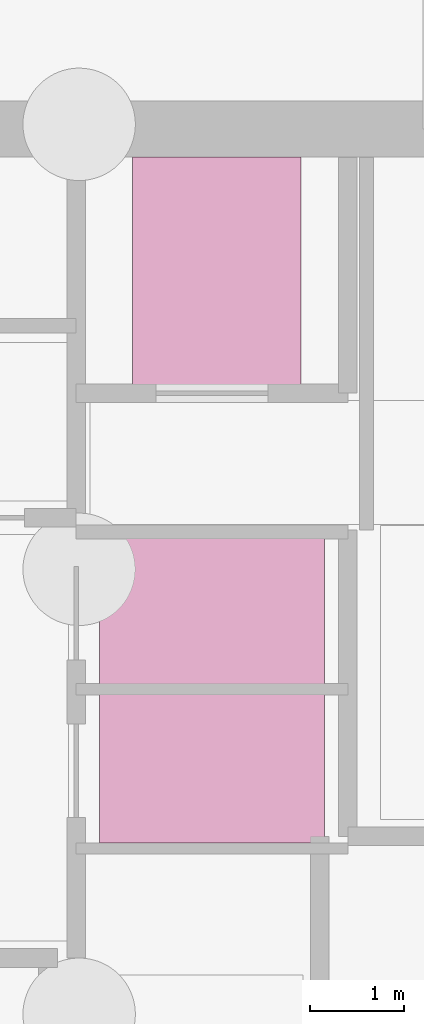
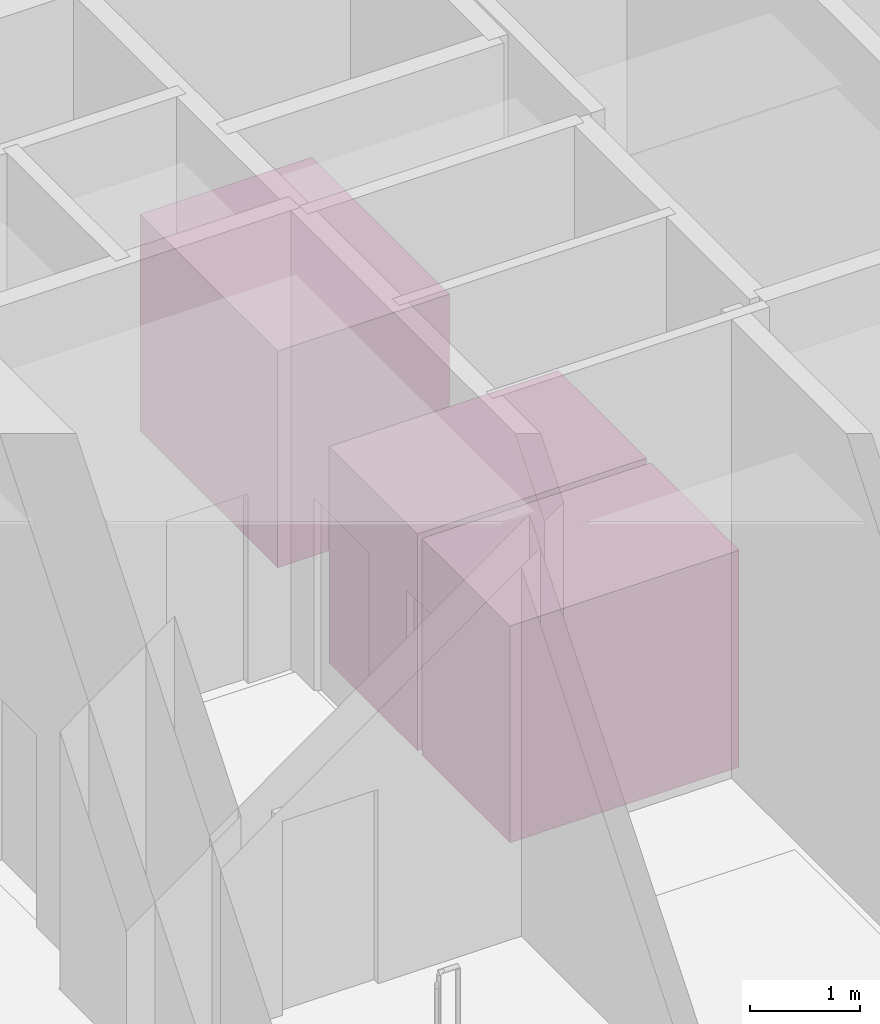
# One storey, part 12 of 12: 3 transport elements.
"""IFC4 building model written with IfcOpenShell, lengths in metres."""

from ifc_helpers import new_model, si_unit, direction, frame, origin, origin_2d, place, context, subcontext, project, spatial, rectangle, extrude, material, type_object, element, save


model = new_model("IFC4")

# Units and contexts
model_context = context("Model", 3, precision=1e-05, world=origin(), true_north=direction((0.0, 1.0)))
body_context = subcontext(model_context, "Body", "Model", "MODEL_VIEW")
ifc_project = project(units=[si_unit("LENGTHUNIT", "METRE"), si_unit("AREAUNIT", "SQUARE_METRE"), si_unit("VOLUMEUNIT", "CUBIC_METRE"), si_unit("PLANEANGLEUNIT", "RADIAN"), si_unit("MASSUNIT", "GRAM", prefix="KILO")], contexts=[model_context])

# Site, building, storey
site_placement = place(None, origin())
site = spatial("IfcSite", under=ifc_project, at=site_placement, CompositionType="ELEMENT")
building_placement = place(site_placement, origin())
building = spatial("IfcBuilding", under=site, at=building_placement, Name="Savorim Split Tower", CompositionType="ELEMENT")
storey_placement = place(building_placement, frame((0.0, 0.0, -5.39990234375)))
storey = spatial("IfcBuildingStorey", under=building, at=storey_placement, Name="B01", CompositionType="ELEMENT", Elevation=-5.39990234375)

# Transport elements
ifc_material = material(Name="Galvanised Painted Steel Balustrade", Category="steel")
transport_element_type_1 = type_object("IfcTransportElementType", Name="LFT-FFL-1600", PredefinedType="ELEVATOR", material=ifc_material)
for number, where, z_axis, x_axis, name in (
    (1, (-2.39990234375, 3.3798828125, 0.0), (0.0, 0.0, 1.0), (1.0, 0.0, 0.0), "Firefighting and Stretcher Lift FFL-1"),
    (2, (-2.39990234375, 5.06005859375, 0.0), (0.0, 0.0, 1.0), (1.0, 0.0, 0.0), "Firefighting and Stretcher Lift FFL-2"),
):
    element("IfcTransportElement", number, at=place(storey_placement, frame(where, z_axis=z_axis, x_axis=x_axis)), inside=storey, type_object=transport_element_type_1, Name=name, PredefinedType="ELEVATOR", context=body_context, shape_type="SweptSolid", body=[
        extrude(rectangle(XDim=2.39990234375, YDim=1.60009765625, at=origin_2d()), origin(), (0.0, 0.0, 1.0), 2.39990234375),
    ])
transport_element_type_2 = type_object("IfcTransportElementType", Name="LFT-SVL-1800", PredefinedType="ELEVATOR", material=ifc_material)
transport_element_placement = place(storey_placement, frame((-2.35009765625, 8.64990234375, 0.0), z_axis=(0.0, 0.0, 1.0), x_axis=(1.0, 0.0, 0.0)))
element("IfcTransportElement", 3, at=transport_element_placement, inside=storey, type_object=transport_element_type_2, Name="Goods and Service Lift SVL-1", PredefinedType="ELEVATOR", context=body_context, shape_type="SweptSolid", body=[
    extrude(rectangle(XDim=1.800048828125, YDim=2.5, at=origin_2d()), origin(), (0.0, 0.0, 1.0), 2.39990234375),
])

save(model, "model.ifc")
